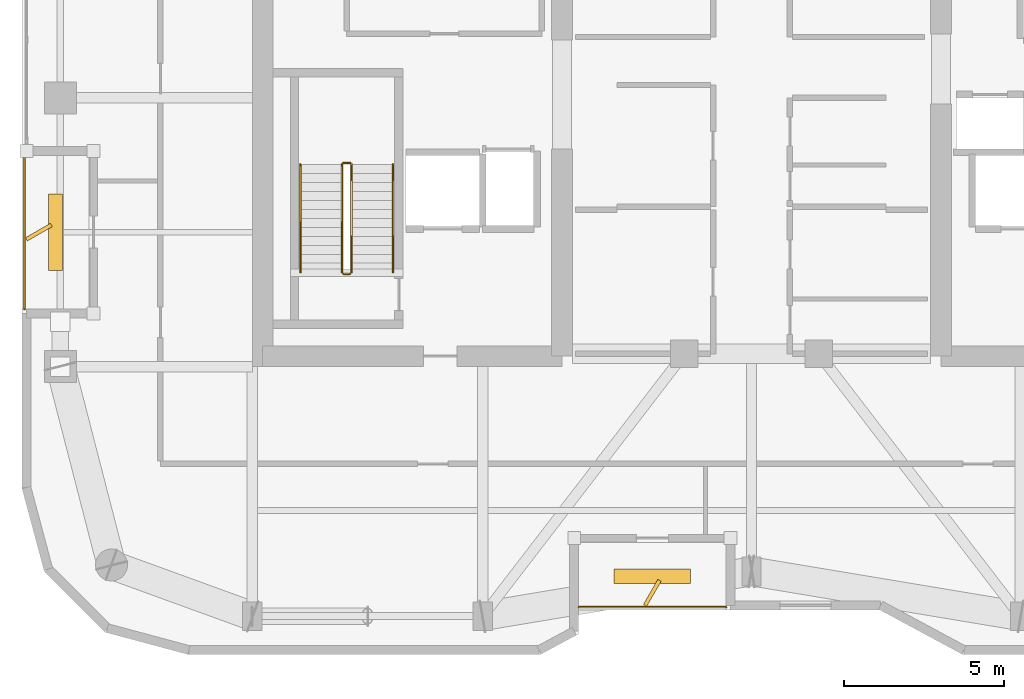
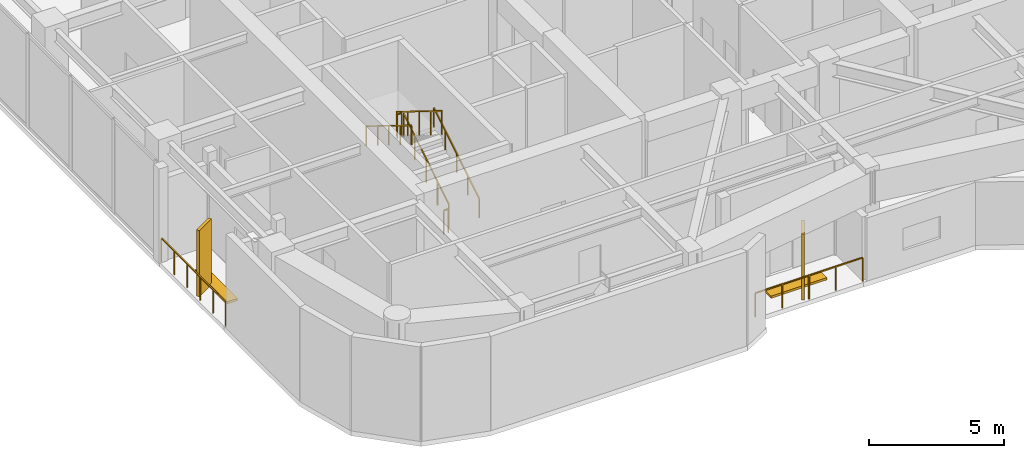
# One storey, part 17 of 19: 8 railings, 4 shading devices.
"""IFC4 building model written with IfcOpenShell, lengths in metres."""

import ifcopenshell
import ifcopenshell.guid

model = None  # the IFC model being written
_history = None  # IfcOwnerHistory: only IFC2X3 demands one
_inside = {}  # id of a spatial element -> (the spatial element, [elements in it])
_under = {}  # id of a project, library or spatial element -> (it, [spatial elements below it])
_declared = {}  # id of a project -> (the project, [libraries it declares])
_typed = {}  # id of a type object -> (the type object, [elements of that type])
_made_of = {}  # id of a material, layer set ... -> (it, [elements and type objects made of it])


def new_model(schema):
    """Start an empty IFC model of exactly this schema.

    Asked for "IFC4X3", IfcOpenShell would pick the latest addendum, in which some entities
    have other attributes; the version numbers below select the first issue.
    IFC2X3 requires an IfcOwnerHistory on every rooted entity: one is made here for all.
    """
    global model, _history
    if schema == "IFC4X3":
        model = ifcopenshell.file(schema_version=(4, 3, 0, 0))
    else:
        model = ifcopenshell.file(schema=schema)
    _inside.clear()
    _under.clear()
    _declared.clear()
    _typed.clear()
    _made_of.clear()
    _history = None
    if model.schema == "IFC2X3":
        org = make("IfcOrganization", Name="unknown")
        user = make(
            "IfcPersonAndOrganization",
            ThePerson=make("IfcPerson", FamilyName="unknown"),
            TheOrganization=org,
        )
        app = make(
            "IfcApplication",
            ApplicationDeveloper=org,
            Version="unknown",
            ApplicationFullName="unknown",
            ApplicationIdentifier="unknown",
        )
        _history = make(
            "IfcOwnerHistory",
            OwningUser=user,
            OwningApplication=app,
            ChangeAction="ADDED",
            CreationDate=0,
        )
    return model


def make(cls, **values):
    """One entity of the class cls with the attributes given. An attribute that is None is left unset."""
    return model.create_entity(
        cls, **{name: value for name, value in values.items() if value is not None}
    )


def rooted(cls, **values):
    """An entity with a GlobalId (a new one), such as an element, a storey or a relation."""
    return make(cls, GlobalId=ifcopenshell.guid.new(), OwnerHistory=_history, **values)


def si_unit(unit_type, name, prefix=None):
    """IfcSIUnit, for example si_unit("LENGTHUNIT", "METRE", prefix="MILLI")."""
    return make("IfcSIUnit", UnitType=unit_type, Prefix=prefix, Name=name)


def assignment(units):
    """IfcUnitAssignment: the units of a project."""
    return None if units is None else make("IfcUnitAssignment", Units=units)


def point(xyz):
    """IfcCartesianPoint."""
    return None if xyz is None else make("IfcCartesianPoint", Coordinates=xyz)


def direction(xyz):
    """IfcDirection."""
    return None if xyz is None else make("IfcDirection", DirectionRatios=xyz)


def frame(location, z_axis=None, x_axis=None):
    """IfcAxis2Placement3D, a coordinate frame: its origin and axes. An axis left out is left unset."""
    return make(
        "IfcAxis2Placement3D",
        Location=point(location),
        Axis=direction(z_axis),
        RefDirection=direction(x_axis),
    )


def frame_2d(location, x_axis=None):
    """IfcAxis2Placement2D, a coordinate frame in the plane: its origin and x axis."""
    return make(
        "IfcAxis2Placement2D", Location=point(location), RefDirection=direction(x_axis)
    )


def origin():
    """The frame at (0, 0, 0) with its axes left unset."""
    return frame((0.0, 0.0, 0.0))


def origin_2d():
    """The frame at (0, 0) in the plane with its x axis left unset."""
    return frame_2d((0.0, 0.0))


def place(relative_to, where):
    """IfcLocalPlacement: puts the frame where relative to a parent placement (None: the world)."""
    return make(
        "IfcLocalPlacement", PlacementRelTo=relative_to, RelativePlacement=where
    )


def context(
    kind, dimensions, precision=None, world=None, true_north=None, identifier=None
):
    """IfcGeometricRepresentationContext, for example the 3D "Model" context."""
    return make(
        "IfcGeometricRepresentationContext",
        ContextIdentifier=identifier,
        ContextType=kind,
        CoordinateSpaceDimension=dimensions,
        Precision=precision,
        WorldCoordinateSystem=world,
        TrueNorth=true_north,
    )


def subcontext(parent, identifier, kind, view, scale=None):
    """IfcGeometricRepresentationSubContext, for example "Body" below "Model"."""
    return make(
        "IfcGeometricRepresentationSubContext",
        ContextIdentifier=identifier,
        ContextType=kind,
        ParentContext=parent,
        TargetScale=scale,
        TargetView=view,
    )


def project(units=None, contexts=None):
    """IfcProject with its units and contexts."""
    return rooted(
        "IfcProject",
        Name="project",
        RepresentationContexts=contexts,
        UnitsInContext=assignment(units),
    )


def spatial(cls, under=None, at=None, **own):
    """A site, building, storey or space (cls), placed at a placement, below another one or the project."""
    s = rooted(cls, ObjectPlacement=at, **own)
    if under is not None:
        _under.setdefault(under.id(), (under, []))[1].append(s)
    return s


def profile(cls, at=None, kind="AREA", **sizes):
    """A parametric profile (cls). Its sizes go by their IFC names, for example OverallWidth=200.0."""
    return make(cls, ProfileType=kind, Position=at, **sizes)


def rectangle(**sizes):
    """IfcRectangleProfileDef."""
    return profile("IfcRectangleProfileDef", **sizes)


def extrude(swept, where, along, depth):
    """IfcExtrudedAreaSolid: the profile swept, set in the frame where, extruded along a direction by depth."""
    return make(
        "IfcExtrudedAreaSolid",
        SweptArea=swept,
        Position=where,
        ExtrudedDirection=direction(along),
        Depth=depth,
    )


def shape(context_of_items, identifier, shape_type, items):
    """IfcShapeRepresentation: the items that make up one representation, for example the "Body"."""
    return make(
        "IfcShapeRepresentation",
        ContextOfItems=context_of_items,
        RepresentationIdentifier=identifier,
        RepresentationType=shape_type,
        Items=items,
    )


def material(Name=None, Category=None):
    """IfcMaterial."""
    return make("IfcMaterial", Name=Name, Category=Category)


def made_of(thing, what):
    """Note that an element or type object is made of a material, layer set ...; save() writes the relation."""
    if what is not None:
        _made_of.setdefault(what.id(), (what, []))[1].append(thing)
    return thing


def type_object(cls, material=None, **own):
    """A type object (cls), such as IfcWallType, which elements share."""
    return made_of(rooted(cls, **own), material)


def element(
    cls,
    number,
    at=None,
    inside=None,
    cuts=None,
    type_object=None,
    material=None,
    context=None,
    identifier="Body",
    shape_type=None,
    held_by="IfcProductDefinitionShape",
    body=None,
    shapes=None,
    **own,
):
    """One element of the class cls, such as IfcWall. Its Tag is "e" and its number.

    at: its placement. inside: the storey or other place that contains it. cuts: it is an
    opening in that element (IfcRelVoidsElement). A single representation is given by context,
    identifier, shape_type and body (its items); several are given by shapes. held_by: the class
    of the entity that holds the representations. save() writes the other relations.
    """
    e = rooted(cls, Tag="e%d" % number, ObjectPlacement=at, **own)
    if body is not None:
        shapes = [shape(context, identifier, shape_type, body)]
    if shapes is not None:
        e.Representation = make(held_by, Representations=shapes)
    if inside is not None:
        _inside.setdefault(inside.id(), (inside, []))[1].append(e)
    if cuts is not None:
        rooted(
            "IfcRelVoidsElement", RelatingBuildingElement=cuts, RelatedOpeningElement=e
        )
    if type_object is not None:
        _typed.setdefault(type_object.id(), (type_object, []))[1].append(e)
    return made_of(e, material)


def aggregate(whole, parts):
    """IfcRelAggregates: a whole, such as a stair, and the parts it consists of."""
    return rooted("IfcRelAggregates", RelatingObject=whole, RelatedObjects=parts)


def save(model, path):
    """Write the relations noted so far, then the file.

    IfcRelAggregates (storeys below a building ...), IfcRelContainedInSpatialStructure (elements
    in a storey), IfcRelDefinesByType, IfcRelAssociatesMaterial and IfcRelDeclares: one each for
    every whole, place, type object, material and project.
    """
    for whole, parts in _under.values():
        aggregate(whole, parts)
    for where, things in _inside.values():
        rooted(
            "IfcRelContainedInSpatialStructure",
            RelatedElements=things,
            RelatingStructure=where,
        )
    for kind, things in _typed.values():
        rooted("IfcRelDefinesByType", RelatedObjects=things, RelatingType=kind)
    for what, things in _made_of.values():
        rooted("IfcRelAssociatesMaterial", RelatedObjects=things, RelatingMaterial=what)
    for by, libraries in _declared.values():
        rooted("IfcRelDeclares", RelatingContext=by, RelatedDefinitions=libraries)
    model.write(path)


model = new_model("IFC4")

# Units and contexts
model_context = context("Model", 3, precision=1e-05, world=origin(), true_north=direction((0.0, 1.0)))
body_context = subcontext(model_context, "Body", "Model", "MODEL_VIEW")
ifc_project = project(units=[si_unit("LENGTHUNIT", "METRE"), si_unit("AREAUNIT", "SQUARE_METRE"), si_unit("VOLUMEUNIT", "CUBIC_METRE"), si_unit("PLANEANGLEUNIT", "RADIAN"), si_unit("MASSUNIT", "GRAM", prefix="KILO")], contexts=[model_context])

# Site, building, storey
site_placement = place(None, origin())
site = spatial("IfcSite", under=ifc_project, at=site_placement, CompositionType="ELEMENT")
building_placement = place(site_placement, origin())
building = spatial("IfcBuilding", under=site, at=building_placement, Name="Kiyonajd Concourse Tower", CompositionType="ELEMENT")
storey_placement = place(building_placement, frame((0.0, 0.0, 238.800048828125)))
storey = spatial("IfcBuildingStorey", under=building, at=storey_placement, Name="L60", CompositionType="ELEMENT", Elevation=238.800048828125)

# Railings
ifc_material_1 = material(Name="Thermally Broken Anodised Aluminium", Category="aluminium")
railing_type_1 = type_object("IfcRailingType", Name="RL-GRD-LOG", PredefinedType="GUARDRAIL", material=ifc_material_1)
railing_1_placement = place(storey_placement, frame((42.60009765625, 20.080078125, 0.0)))
element("IfcRailing", 1, at=railing_1_placement, inside=storey, type_object=railing_type_1, Name="L60 Engawa Loggia Perimeter Guard LOG-S", PredefinedType="GUARDRAIL", context=body_context, shape_type="SweptSolid", body=[
    extrude(rectangle(XDim=0.048095703125, YDim=0.048095703125, at=origin_2d()), frame((0.0, 0.0, 1.076171875), z_axis=(1.0, 0.0, 0.0), x_axis=(0.0, 1.0, 0.0)), (0.0, 0.0, 1.0), 4.599853515625),
    extrude(rectangle(XDim=0.0419921875, YDim=0.0419921875, at=origin_2d()), origin(), (0.0, 0.0, 1.0), 1.052001953125),
    extrude(rectangle(XDim=0.0419921875, YDim=0.0419921875, at=origin_2d()), frame((1.14990234375, 0.0, 0.0)), (0.0, 0.0, 1.0), 1.052001953125),
    extrude(rectangle(XDim=0.0419921875, YDim=0.0419921875, at=origin_2d()), frame((2.2998046875, 0.0, 0.0)), (0.0, 0.0, 1.0), 1.052001953125),
    extrude(rectangle(XDim=0.0419921875, YDim=0.0419921875, at=origin_2d()), frame((3.449951171875, 0.0, 0.0)), (0.0, 0.0, 1.0), 1.052001953125),
    extrude(rectangle(XDim=0.0419921875, YDim=0.0419921875, at=origin_2d()), frame((4.599853515625, 0.0, 0.0)), (0.0, 0.0, 1.0), 1.052001953125),
])
railing_2_placement = place(storey_placement, frame((25.280029296875, 34.199951171875, 0.0)))
element("IfcRailing", 2, at=railing_2_placement, inside=storey, type_object=railing_type_1, Name="L60 Engawa Loggia Perimeter Guard LOG-W", PredefinedType="GUARDRAIL", context=body_context, shape_type="SweptSolid", body=[
    extrude(rectangle(XDim=0.048095703125, YDim=0.048095703125, at=origin_2d()), frame((0.0, 0.0, 1.076171875), z_axis=(0.0, -1.0, 0.0), x_axis=(1.0, 0.0, 0.0)), (0.0, 0.0, 1.0), 4.800048828125),
    extrude(rectangle(XDim=0.0419921875, YDim=0.0419921875, at=origin_2d()), origin(), (0.0, 0.0, 1.0), 1.052001953125),
    extrude(rectangle(XDim=0.0419921875, YDim=0.0419921875, at=origin_2d()), frame((0.0, -0.9599609375, 0.0)), (0.0, 0.0, 1.0), 1.052001953125),
    extrude(rectangle(XDim=0.0419921875, YDim=0.0419921875, at=origin_2d()), frame((0.0, -1.919921875, 0.0)), (0.0, 0.0, 1.0), 1.052001953125),
    extrude(rectangle(XDim=0.0419921875, YDim=0.0419921875, at=origin_2d()), frame((0.0, -2.880126953125, 0.0)), (0.0, 0.0, 1.0), 1.052001953125),
    extrude(rectangle(XDim=0.0419921875, YDim=0.0419921875, at=origin_2d()), frame((0.0, -3.840087890625, 0.0)), (0.0, 0.0, 1.0), 1.052001953125),
    extrude(rectangle(XDim=0.0419921875, YDim=0.0419921875, at=origin_2d()), frame((0.0, -4.800048828125, 0.0)), (0.0, 0.0, 1.0), 1.052001953125),
])
ifc_material_2 = material(Name="Steel ASTM A500 Grade C", Category="steel")
railing_type_2 = type_object("IfcRailingType", Name="RL-GRD-STR", PredefinedType="GUARDRAIL", material=ifc_material_2)
railing_3_placement = place(storey_placement, frame((35.5, 30.550048828125, 0.173095703125)))
element("IfcRailing", 3, at=railing_3_placement, inside=storey, type_object=railing_type_2, Name="L60 ST1 stair guard 1", PredefinedType="GUARDRAIL", context=body_context, shape_type="SweptSolid", body=[
    extrude(rectangle(XDim=0.048095703125, YDim=0.048095703125, at=origin_2d()), frame((0.0, 0.0, 1.076171875), z_axis=(0.0, 0.850606129759, 0.525803396734), x_axis=(-1.0, 0.0, 0.0)), (0.0, 0.0, 1.0), 3.949951171875),
    extrude(rectangle(XDim=0.0419921875, YDim=0.0419921875, at=origin_2d()), origin(), (0.0, 0.0, 1.0), 1.052001953125),
    extrude(rectangle(XDim=0.0419921875, YDim=0.0419921875, at=origin_2d()), frame((0.0, 0.83984375, 0.519287109375)), (0.0, 0.0, 1.0), 1.052001953125),
    extrude(rectangle(XDim=0.0419921875, YDim=0.0419921875, at=origin_2d()), frame((0.0, 1.679931640625, 1.03857421875)), (0.0, 0.0, 1.0), 1.052001953125),
    extrude(rectangle(XDim=0.0419921875, YDim=0.0419921875, at=origin_2d()), frame((0.0, 2.52001953125, 1.5576171875)), (0.0, 0.0, 1.0), 1.052001953125),
    extrude(rectangle(XDim=0.0419921875, YDim=0.0419921875, at=origin_2d()), frame((0.0, 3.35986328125, 2.076904296875)), (0.0, 0.0, 1.0), 1.052001953125),
])
railing_4_placement = place(storey_placement, frame((35.449951171875, 33.9599609375, 2.25)))
element("IfcRailing", 4, at=railing_4_placement, inside=storey, type_object=railing_type_2, Name="L60 ST1 stair guard 2", PredefinedType="GUARDRAIL", context=body_context, shape_type="SweptSolid", body=[
    extrude(rectangle(XDim=0.048095703125, YDim=0.048095703125, at=origin_2d()), frame((0.0, 0.0, 1.076171875), z_axis=(-1.0, 0.0, 0.0), x_axis=(0.0, -1.0, 0.0)), (0.0, 0.0, 1.0), 0.199951171875),
    extrude(rectangle(XDim=0.0419921875, YDim=0.0419921875, at=origin_2d()), origin(), (0.0, 0.0, 1.0), 1.052001953125),
    extrude(rectangle(XDim=0.0419921875, YDim=0.0419921875, at=origin_2d()), frame((-0.199951171875, 0.0, 0.0)), (0.0, 0.0, 1.0), 1.052001953125),
])
railing_5_placement = place(storey_placement, frame((35.199951171875, 33.909912109375, 2.423095703125)))
element("IfcRailing", 5, at=railing_5_placement, inside=storey, type_object=railing_type_2, Name="L60 ST1 stair guard 3", PredefinedType="GUARDRAIL", context=body_context, shape_type="SweptSolid", body=[
    extrude(rectangle(XDim=0.048095703125, YDim=0.048095703125, at=origin_2d()), frame((0.0, 0.0, 1.076171875), z_axis=(0.0, -0.850606129759, 0.525803396734), x_axis=(1.0, 0.0, 0.0)), (0.0, 0.0, 1.0), 3.949951171875),
    extrude(rectangle(XDim=0.0419921875, YDim=0.0419921875, at=origin_2d()), origin(), (0.0, 0.0, 1.0), 1.052001953125),
    extrude(rectangle(XDim=0.0419921875, YDim=0.0419921875, at=origin_2d()), frame((0.0, -0.83984375, 0.519287109375)), (0.0, 0.0, 1.0), 1.052001953125),
    extrude(rectangle(XDim=0.0419921875, YDim=0.0419921875, at=origin_2d()), frame((0.0, -1.679931640625, 1.03857421875)), (0.0, 0.0, 1.0), 1.052001953125),
    extrude(rectangle(XDim=0.0419921875, YDim=0.0419921875, at=origin_2d()), frame((0.0, -2.52001953125, 1.5576171875)), (0.0, 0.0, 1.0), 1.052001953125),
    extrude(rectangle(XDim=0.0419921875, YDim=0.0419921875, at=origin_2d()), frame((0.0, -3.35986328125, 2.076904296875)), (0.0, 0.0, 1.0), 1.052001953125),
])
railing_6_placement = place(storey_placement, frame((35.449951171875, 30.5, 0.0)))
element("IfcRailing", 6, at=railing_6_placement, inside=storey, type_object=railing_type_2, Name="L60 ST1 stair guard 4", PredefinedType="GUARDRAIL", context=body_context, shape_type="SweptSolid", body=[
    extrude(rectangle(XDim=0.048095703125, YDim=0.048095703125, at=origin_2d()), frame((0.0, 0.0, 1.076171875), z_axis=(-1.0, 0.0, 0.0), x_axis=(0.0, -1.0, 0.0)), (0.0, 0.0, 1.0), 0.199951171875),
    extrude(rectangle(XDim=0.0419921875, YDim=0.0419921875, at=origin_2d()), origin(), (0.0, 0.0, 1.0), 1.052001953125),
    extrude(rectangle(XDim=0.0419921875, YDim=0.0419921875, at=origin_2d()), frame((-0.199951171875, 0.0, 0.0)), (0.0, 0.0, 1.0), 1.052001953125),
])
ifc_material_3 = material(Name="Brushed Stainless Steel Cab Assembly", Category="steel")
railing_type_3 = type_object("IfcRailingType", Name="RL-HND-900", PredefinedType="HANDRAIL", material=ifc_material_3)
railing_7_placement = place(storey_placement, frame((36.800048828125, 30.550048828125, 0.173095703125)))
element("IfcRailing", 7, at=railing_7_placement, inside=storey, type_object=railing_type_3, Name="L60 ST1 stair handrail 1", PredefinedType="HANDRAIL", context=body_context, shape_type="SweptSolid", body=[
    extrude(rectangle(XDim=0.048095703125, YDim=0.048095703125, at=origin_2d()), frame((0.0, 0.0, 0.8759765625), z_axis=(0.0, 0.850606129759, 0.525803396734), x_axis=(-1.0, 0.0, 0.0)), (0.0, 0.0, 1.0), 3.949951171875),
    extrude(rectangle(XDim=0.0419921875, YDim=0.0419921875, at=origin_2d()), origin(), (0.0, 0.0, 1.0), 0.851806640625),
    extrude(rectangle(XDim=0.0419921875, YDim=0.0419921875, at=origin_2d()), frame((0.0, 0.83984375, 0.519287109375)), (0.0, 0.0, 1.0), 0.851806640625),
    extrude(rectangle(XDim=0.0419921875, YDim=0.0419921875, at=origin_2d()), frame((0.0, 1.679931640625, 1.03857421875)), (0.0, 0.0, 1.0), 0.851806640625),
    extrude(rectangle(XDim=0.0419921875, YDim=0.0419921875, at=origin_2d()), frame((0.0, 2.52001953125, 1.5576171875)), (0.0, 0.0, 1.0), 0.851806640625),
    extrude(rectangle(XDim=0.0419921875, YDim=0.0419921875, at=origin_2d()), frame((0.0, 3.35986328125, 2.076904296875)), (0.0, 0.0, 1.0), 0.851806640625),
])
railing_8_placement = place(storey_placement, frame((33.89990234375, 33.909912109375, 2.423095703125)))
element("IfcRailing", 8, at=railing_8_placement, inside=storey, type_object=railing_type_3, Name="L60 ST1 stair handrail 2", PredefinedType="HANDRAIL", context=body_context, shape_type="SweptSolid", body=[
    extrude(rectangle(XDim=0.048095703125, YDim=0.048095703125, at=origin_2d()), frame((0.0, 0.0, 0.8759765625), z_axis=(0.0, -0.850606129759, 0.525803396734), x_axis=(1.0, 0.0, 0.0)), (0.0, 0.0, 1.0), 3.949951171875),
    extrude(rectangle(XDim=0.0419921875, YDim=0.0419921875, at=origin_2d()), origin(), (0.0, 0.0, 1.0), 0.851806640625),
    extrude(rectangle(XDim=0.0419921875, YDim=0.0419921875, at=origin_2d()), frame((0.0, -0.83984375, 0.519287109375)), (0.0, 0.0, 1.0), 0.851806640625),
    extrude(rectangle(XDim=0.0419921875, YDim=0.0419921875, at=origin_2d()), frame((0.0, -1.679931640625, 1.03857421875)), (0.0, 0.0, 1.0), 0.851806640625),
    extrude(rectangle(XDim=0.0419921875, YDim=0.0419921875, at=origin_2d()), frame((0.0, -2.52001953125, 1.5576171875)), (0.0, 0.0, 1.0), 0.851806640625),
    extrude(rectangle(XDim=0.0419921875, YDim=0.0419921875, at=origin_2d()), frame((0.0, -3.35986328125, 2.076904296875)), (0.0, 0.0, 1.0), 0.851806640625),
])

# Shading devices
ifc_material_4 = material(Name="Precast concrete C50/60", Category="concrete")
shading_device_type_1 = type_object("IfcShadingDeviceType", Name="SH-FIN-900", PredefinedType="USERDEFINED", material=ifc_material_4)
for number, where, z_axis, x_axis, name in (
    (9, (44.89990234375, 20.530029296875, 0.0), (0.0, 0.0, 1.0), (0.5, 0.866025403784, 0.0), "L60 Angled Koshi Solar Fin LOG-S"),
    (10, (25.72998046875, 31.800048828125, 0.0), (0.0, 0.0, 1.0), (0.866025403784, 0.5, 0.0), "L60 Angled Koshi Solar Fin LOG-W"),
):
    element("IfcShadingDevice", number, at=place(storey_placement, frame(where, z_axis=z_axis, x_axis=x_axis)), inside=storey, type_object=shading_device_type_1, Name=name, ObjectType="FIN", PredefinedType="USERDEFINED", context=body_context, shape_type="SweptSolid", body=[
        extrude(rectangle(XDim=0.89990234375, YDim=0.1201171875, at=origin_2d()), origin(), (0.0, 0.0, 1.0), 3.0),
    ])
shading_device_type_2 = type_object("IfcShadingDeviceType", Name="SH-LVR-600", PredefinedType="JALOUSIE", material=ifc_material_1)
for number, where, z_axis, x_axis, name in (
    (11, (44.89990234375, 21.050048828125, 0.0), (0.0, 0.0, 1.0), (1.0, 0.0, 0.0), "L60 Loggia Threshold Louver LOG-S"),
    (12, (26.25, 31.800048828125, 0.0), (0.0, 0.0, 1.0), (0.0, 1.0, 0.0), "L60 Loggia Threshold Louver LOG-W"),
):
    element("IfcShadingDevice", number, at=place(storey_placement, frame(where, z_axis=z_axis, x_axis=x_axis)), inside=storey, type_object=shading_device_type_2, Name=name, PredefinedType="JALOUSIE", context=body_context, shape_type="SweptSolid", body=[
        extrude(rectangle(XDim=2.39990234375, YDim=0.449951171875, at=origin_2d()), origin(), (0.0, 0.0, 1.0), 0.10009765625),
    ])

save(model, "model.ifc")
